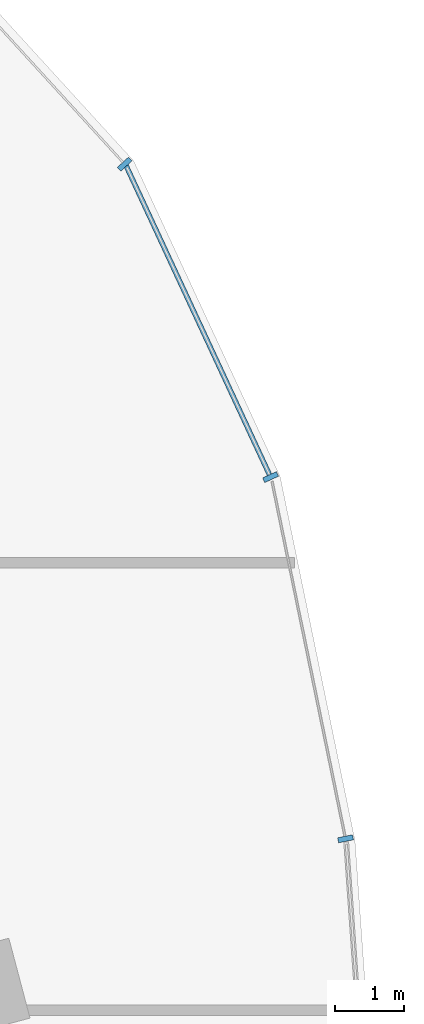
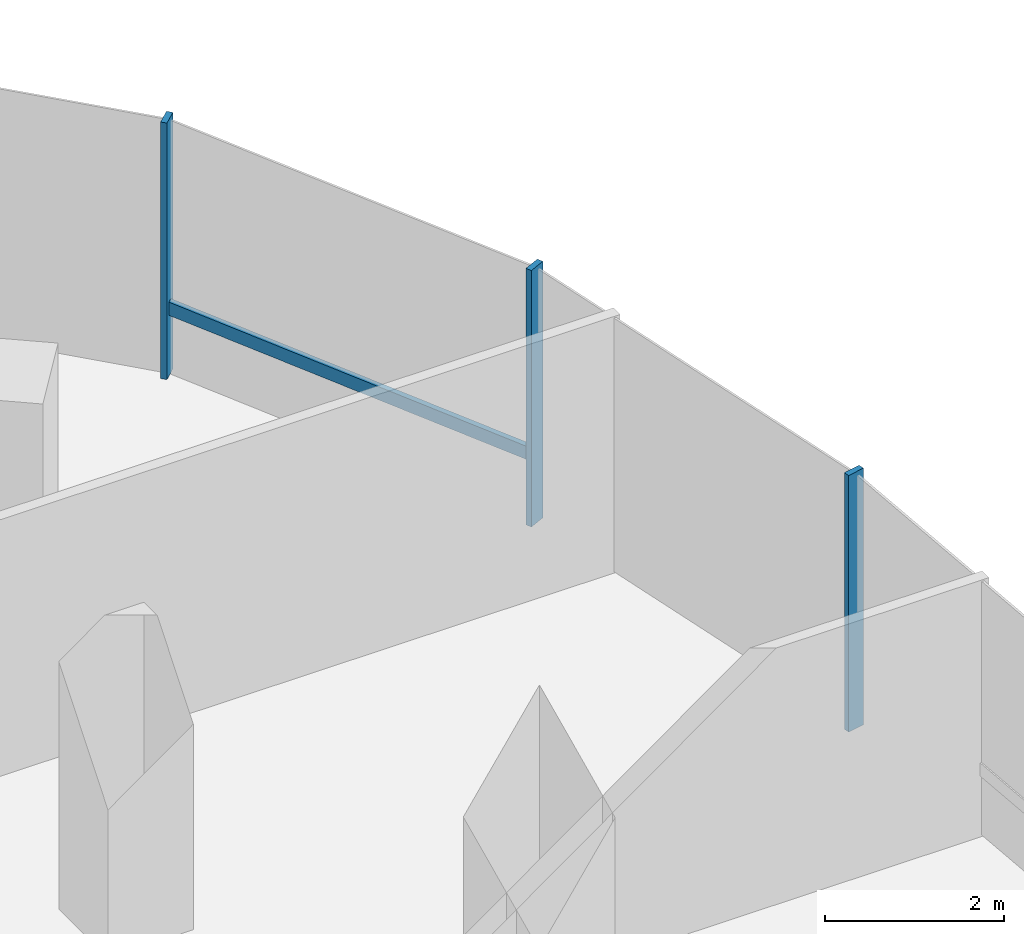
# One storey, part 8 of 22: 4 members, 1 element without a shape of its own.
"""IFC4 building model written with IfcOpenShell, lengths in metres."""

import ifcopenshell
import ifcopenshell.guid

model = None  # the IFC model being written
_history = None  # IfcOwnerHistory: only IFC2X3 demands one
_inside = {}  # id of a spatial element -> (the spatial element, [elements in it])
_under = {}  # id of a project, library or spatial element -> (it, [spatial elements below it])
_declared = {}  # id of a project -> (the project, [libraries it declares])
_typed = {}  # id of a type object -> (the type object, [elements of that type])
_made_of = {}  # id of a material, layer set ... -> (it, [elements and type objects made of it])


def new_model(schema):
    """Start an empty IFC model of exactly this schema.

    Asked for "IFC4X3", IfcOpenShell would pick the latest addendum, in which some entities
    have other attributes; the version numbers below select the first issue.
    IFC2X3 requires an IfcOwnerHistory on every rooted entity: one is made here for all.
    """
    global model, _history
    if schema == "IFC4X3":
        model = ifcopenshell.file(schema_version=(4, 3, 0, 0))
    else:
        model = ifcopenshell.file(schema=schema)
    _inside.clear()
    _under.clear()
    _declared.clear()
    _typed.clear()
    _made_of.clear()
    _history = None
    if model.schema == "IFC2X3":
        org = make("IfcOrganization", Name="unknown")
        user = make(
            "IfcPersonAndOrganization",
            ThePerson=make("IfcPerson", FamilyName="unknown"),
            TheOrganization=org,
        )
        app = make(
            "IfcApplication",
            ApplicationDeveloper=org,
            Version="unknown",
            ApplicationFullName="unknown",
            ApplicationIdentifier="unknown",
        )
        _history = make(
            "IfcOwnerHistory",
            OwningUser=user,
            OwningApplication=app,
            ChangeAction="ADDED",
            CreationDate=0,
        )
    return model


def make(cls, **values):
    """One entity of the class cls with the attributes given. An attribute that is None is left unset."""
    return model.create_entity(
        cls, **{name: value for name, value in values.items() if value is not None}
    )


def rooted(cls, **values):
    """An entity with a GlobalId (a new one), such as an element, a storey or a relation."""
    return make(cls, GlobalId=ifcopenshell.guid.new(), OwnerHistory=_history, **values)


def si_unit(unit_type, name, prefix=None):
    """IfcSIUnit, for example si_unit("LENGTHUNIT", "METRE", prefix="MILLI")."""
    return make("IfcSIUnit", UnitType=unit_type, Prefix=prefix, Name=name)


def assignment(units):
    """IfcUnitAssignment: the units of a project."""
    return None if units is None else make("IfcUnitAssignment", Units=units)


def point(xyz):
    """IfcCartesianPoint."""
    return None if xyz is None else make("IfcCartesianPoint", Coordinates=xyz)


def direction(xyz):
    """IfcDirection."""
    return None if xyz is None else make("IfcDirection", DirectionRatios=xyz)


def frame(location, z_axis=None, x_axis=None):
    """IfcAxis2Placement3D, a coordinate frame: its origin and axes. An axis left out is left unset."""
    return make(
        "IfcAxis2Placement3D",
        Location=point(location),
        Axis=direction(z_axis),
        RefDirection=direction(x_axis),
    )


def frame_2d(location, x_axis=None):
    """IfcAxis2Placement2D, a coordinate frame in the plane: its origin and x axis."""
    return make(
        "IfcAxis2Placement2D", Location=point(location), RefDirection=direction(x_axis)
    )


def origin():
    """The frame at (0, 0, 0) with its axes left unset."""
    return frame((0.0, 0.0, 0.0))


def origin_2d():
    """The frame at (0, 0) in the plane with its x axis left unset."""
    return frame_2d((0.0, 0.0))


def place(relative_to, where):
    """IfcLocalPlacement: puts the frame where relative to a parent placement (None: the world)."""
    return make(
        "IfcLocalPlacement", PlacementRelTo=relative_to, RelativePlacement=where
    )


def context(
    kind, dimensions, precision=None, world=None, true_north=None, identifier=None
):
    """IfcGeometricRepresentationContext, for example the 3D "Model" context."""
    return make(
        "IfcGeometricRepresentationContext",
        ContextIdentifier=identifier,
        ContextType=kind,
        CoordinateSpaceDimension=dimensions,
        Precision=precision,
        WorldCoordinateSystem=world,
        TrueNorth=true_north,
    )


def subcontext(parent, identifier, kind, view, scale=None):
    """IfcGeometricRepresentationSubContext, for example "Body" below "Model"."""
    return make(
        "IfcGeometricRepresentationSubContext",
        ContextIdentifier=identifier,
        ContextType=kind,
        ParentContext=parent,
        TargetScale=scale,
        TargetView=view,
    )


def project(units=None, contexts=None):
    """IfcProject with its units and contexts."""
    return rooted(
        "IfcProject",
        Name="project",
        RepresentationContexts=contexts,
        UnitsInContext=assignment(units),
    )


def spatial(cls, under=None, at=None, **own):
    """A site, building, storey or space (cls), placed at a placement, below another one or the project."""
    s = rooted(cls, ObjectPlacement=at, **own)
    if under is not None:
        _under.setdefault(under.id(), (under, []))[1].append(s)
    return s


def profile(cls, at=None, kind="AREA", **sizes):
    """A parametric profile (cls). Its sizes go by their IFC names, for example OverallWidth=200.0."""
    return make(cls, ProfileType=kind, Position=at, **sizes)


def rectangle(**sizes):
    """IfcRectangleProfileDef."""
    return profile("IfcRectangleProfileDef", **sizes)


def extrude(swept, where, along, depth):
    """IfcExtrudedAreaSolid: the profile swept, set in the frame where, extruded along a direction by depth."""
    return make(
        "IfcExtrudedAreaSolid",
        SweptArea=swept,
        Position=where,
        ExtrudedDirection=direction(along),
        Depth=depth,
    )


def shape(context_of_items, identifier, shape_type, items):
    """IfcShapeRepresentation: the items that make up one representation, for example the "Body"."""
    return make(
        "IfcShapeRepresentation",
        ContextOfItems=context_of_items,
        RepresentationIdentifier=identifier,
        RepresentationType=shape_type,
        Items=items,
    )


def material(Name=None, Category=None):
    """IfcMaterial."""
    return make("IfcMaterial", Name=Name, Category=Category)


def material_profile(
    of_material, cross_section, Name=None, Category=None, Priority=None
):
    """IfcMaterialProfile: a cross section and its material."""
    return make(
        "IfcMaterialProfile",
        Name=Name,
        Material=of_material,
        Profile=cross_section,
        Priority=Priority,
        Category=Category,
    )


def profile_set(profiles, Name=None, composite=None):
    """IfcMaterialProfileSet."""
    return make(
        "IfcMaterialProfileSet",
        Name=Name,
        MaterialProfiles=profiles,
        CompositeProfile=composite,
    )


def made_of(thing, what):
    """Note that an element or type object is made of a material, layer set ...; save() writes the relation."""
    if what is not None:
        _made_of.setdefault(what.id(), (what, []))[1].append(thing)
    return thing


def type_object(cls, material=None, **own):
    """A type object (cls), such as IfcWallType, which elements share."""
    return made_of(rooted(cls, **own), material)


def element(
    cls,
    number,
    at=None,
    inside=None,
    cuts=None,
    type_object=None,
    material=None,
    context=None,
    identifier="Body",
    shape_type=None,
    held_by="IfcProductDefinitionShape",
    body=None,
    shapes=None,
    **own,
):
    """One element of the class cls, such as IfcWall. Its Tag is "e" and its number.

    at: its placement. inside: the storey or other place that contains it. cuts: it is an
    opening in that element (IfcRelVoidsElement). A single representation is given by context,
    identifier, shape_type and body (its items); several are given by shapes. held_by: the class
    of the entity that holds the representations. save() writes the other relations.
    """
    e = rooted(cls, Tag="e%d" % number, ObjectPlacement=at, **own)
    if body is not None:
        shapes = [shape(context, identifier, shape_type, body)]
    if shapes is not None:
        e.Representation = make(held_by, Representations=shapes)
    if inside is not None:
        _inside.setdefault(inside.id(), (inside, []))[1].append(e)
    if cuts is not None:
        rooted(
            "IfcRelVoidsElement", RelatingBuildingElement=cuts, RelatedOpeningElement=e
        )
    if type_object is not None:
        _typed.setdefault(type_object.id(), (type_object, []))[1].append(e)
    return made_of(e, material)


def aggregate(whole, parts):
    """IfcRelAggregates: a whole, such as a stair, and the parts it consists of."""
    return rooted("IfcRelAggregates", RelatingObject=whole, RelatedObjects=parts)


def save(model, path):
    """Write the relations noted so far, then the file.

    IfcRelAggregates (storeys below a building ...), IfcRelContainedInSpatialStructure (elements
    in a storey), IfcRelDefinesByType, IfcRelAssociatesMaterial and IfcRelDeclares: one each for
    every whole, place, type object, material and project.
    """
    for whole, parts in _under.values():
        aggregate(whole, parts)
    for where, things in _inside.values():
        rooted(
            "IfcRelContainedInSpatialStructure",
            RelatedElements=things,
            RelatingStructure=where,
        )
    for kind, things in _typed.values():
        rooted("IfcRelDefinesByType", RelatedObjects=things, RelatingType=kind)
    for what, things in _made_of.values():
        rooted("IfcRelAssociatesMaterial", RelatedObjects=things, RelatingMaterial=what)
    for by, libraries in _declared.values():
        rooted("IfcRelDeclares", RelatingContext=by, RelatedDefinitions=libraries)
    model.write(path)


model = new_model("IFC4")

# Units and contexts
model_context = context("Model", 3, precision=1e-05, world=origin(), true_north=direction((0.0, 1.0)))
body_context = subcontext(model_context, "Body", "Model", "MODEL_VIEW")
ifc_project = project(units=[si_unit("LENGTHUNIT", "METRE"), si_unit("AREAUNIT", "SQUARE_METRE"), si_unit("VOLUMEUNIT", "CUBIC_METRE"), si_unit("PLANEANGLEUNIT", "RADIAN"), si_unit("MASSUNIT", "GRAM", prefix="KILO"), si_unit("THERMODYNAMICTEMPERATUREUNIT", "KELVIN"), si_unit("POWERUNIT", "WATT")], contexts=[model_context])

# Site, building, storey
site_placement = place(None, origin())
site = spatial("IfcSite", under=ifc_project, at=site_placement, CompositionType="ELEMENT")
building_placement = place(site_placement, origin())
building = spatial("IfcBuilding", under=site, at=building_placement, Name="Cundina Bronze Exchange", CompositionType="ELEMENT")
storey_placement = place(building_placement, frame((0.0, 0.0, 39.199951171875)))
storey = spatial("IfcBuildingStorey", under=building, at=storey_placement, Name="L09", CompositionType="ELEMENT", Elevation=39.199951171875)

# Curtain wall, members
ifc_material = material(Name="Anodised Bronze Aluminium 6063-T6", Category="aluminium")
curtain_wall_type = type_object("IfcCurtainWallType", Name="CWS-TRD-LOW", PredefinedType="NOTDEFINED", material=ifc_material)
curtain_wall_placement = place(storey_placement, origin())
curtain_wall = element("IfcCurtainWall", 1, at=curtain_wall_placement, inside=storey, type_object=curtain_wall_type, Name="L09 CW-02 Curtain Wall Run CWR-L09-E1", PredefinedType="NOTDEFINED")
ifc_material_profile_1 = material_profile(ifc_material, rectangle(XDim=0.074951171875, YDim=0.219970703125, at=origin_2d()), Name="AL75X220", Category="aluminium")
ifc_profile_set_1 = profile_set([ifc_material_profile_1], Name="Anodised Bronze Aluminium 6063-T6")
member_type_1 = type_object("IfcMemberType", Name="CWM-MUL-220", PredefinedType="MULLION", material=ifc_profile_set_1)
member_1_placement = place(storey_placement, frame((50.717041015625, 8.67822265625, 0.0), z_axis=(0.0, 0.0, 1.0), x_axis=(-0.201419845156, 0.979505000486, 0.0)))
member_1 = element("IfcMember", 2, at=member_1_placement, type_object=member_type_1, Name="CW-02 Mullion 2", PredefinedType="MULLION", context=body_context, shape_type="SweptSolid", body=[
    extrude(rectangle(XDim=0.074951171875, YDim=0.219970703125, at=origin_2d()), origin(), (0.0, 0.0, 1.0), 3.5),
])
member_2_placement = place(storey_placement, frame((49.6279296875, 13.931884765625, 0.0), z_axis=(0.0, 0.0, 1.0), x_axis=(-0.42087749791, 0.907117485088, 0.0)))
member_2 = element("IfcMember", 3, at=member_2_placement, type_object=member_type_1, Name="CW-02 Mullion 3", PredefinedType="MULLION", context=body_context, shape_type="SweptSolid", body=[
    extrude(rectangle(XDim=0.074951171875, YDim=0.219970703125, at=origin_2d()), origin(), (0.0, 0.0, 1.0), 3.5),
])
member_3_placement = place(storey_placement, frame((47.508544921875, 18.47705078125, 0.0), z_axis=(0.0, 0.0, 1.0), x_axis=(-0.674302387584, 0.738455340626, 0.0)))
member_3 = element("IfcMember", 4, at=member_3_placement, type_object=member_type_1, Name="CW-02 Mullion 4", PredefinedType="MULLION", context=body_context, shape_type="SweptSolid", body=[
    extrude(rectangle(XDim=0.074951171875, YDim=0.219970703125, at=origin_2d()), origin(), (0.0, 0.0, 1.0), 3.5),
])
ifc_material_profile_2 = material_profile(ifc_material, rectangle(XDim=0.070068359375, YDim=0.179931640625, at=origin_2d()), Name="AL70X180", Category="aluminium")
ifc_profile_set_2 = profile_set([ifc_material_profile_2], Name="Anodised Bronze Aluminium 6063-T6")
member_type_2 = type_object("IfcMemberType", Name="CWM-TRN-180", PredefinedType="USERDEFINED", material=ifc_profile_set_2)
member_4_placement = place(storey_placement, frame((49.610595703125, 13.96923828125, 0.920166015625), z_axis=(-0.420811422796, 0.907148139195, 0.0), x_axis=(-0.907148139195, -0.420811422796, 0.0)))
member_4 = element("IfcMember", 5, at=member_4_placement, type_object=member_type_2, Name="CW-02 Spandrel Transom 3", ObjectType="TRANSOM", PredefinedType="USERDEFINED", context=body_context, shape_type="SweptSolid", body=[
    extrude(rectangle(XDim=0.070068359375, YDim=0.179931640625, at=origin_2d()), origin(), (0.0, 0.0, 1.0), 4.95166015625),
])
aggregate(curtain_wall, [member_1, member_2, member_4, member_3])

save(model, "model.ifc")
